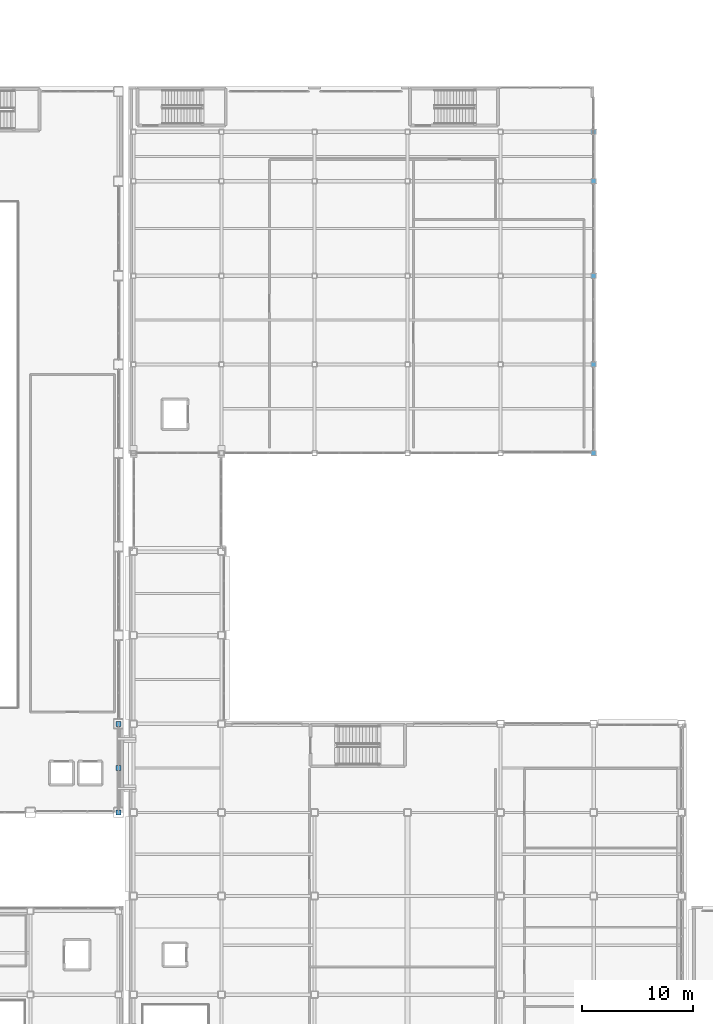
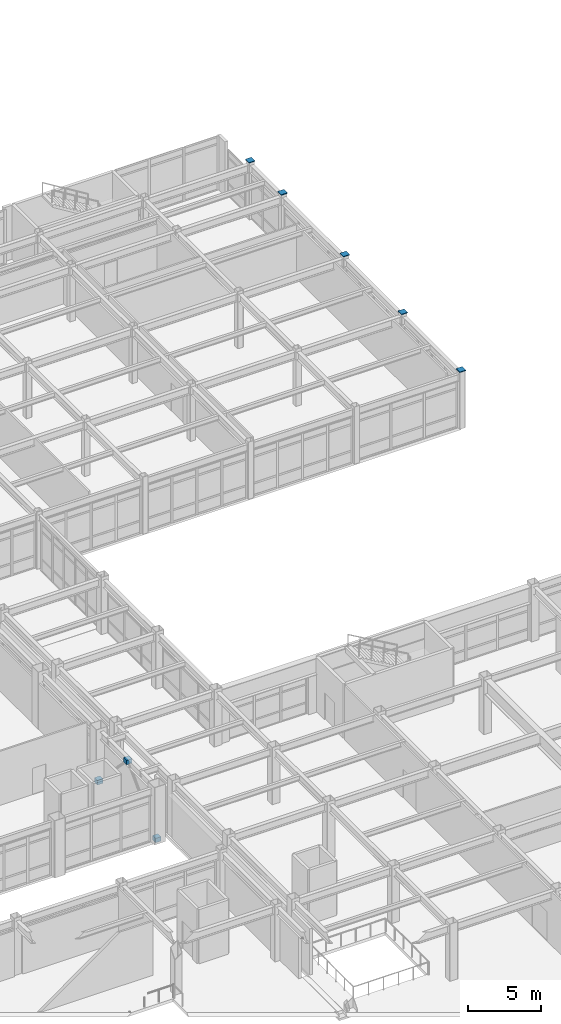
# One storey, part 151 of 172: 8 discrete accessories.
"""IFC4 building model written with IfcOpenShell, lengths in metres."""

from ifc_helpers import new_model, si_unit, direction, frame, origin, origin_2d, place, context, subcontext, project, spatial, rectangle, extrude, material, layer, layer_set, type_object, element, save


model = new_model("IFC4")

# Units and contexts
model_context = context("Model", 3, precision=1e-05, world=origin(), true_north=direction((0.0, 1.0)))
body_context = subcontext(model_context, "Body", "Model", "MODEL_VIEW")
ifc_project = project(units=[si_unit("LENGTHUNIT", "METRE"), si_unit("AREAUNIT", "SQUARE_METRE"), si_unit("VOLUMEUNIT", "CUBIC_METRE"), si_unit("PLANEANGLEUNIT", "RADIAN"), si_unit("MASSUNIT", "GRAM", prefix="KILO")], contexts=[model_context])

# Site, building, storey
site_placement = place(None, origin())
site = spatial("IfcSite", under=ifc_project, at=site_placement, CompositionType="ELEMENT")
building_placement = place(site_placement, origin())
building = spatial("IfcBuilding", under=site, at=building_placement, Name="Kazehara Bluff Congress Hotel", CompositionType="ELEMENT")
storey_placement = place(building_placement, frame((0.0, 0.0, 5.39990234375)))
storey = spatial("IfcBuildingStorey", under=building, at=storey_placement, Name="L01", CompositionType="ELEMENT", Elevation=5.39990234375)

# Discrete accessories
ifc_material_1 = material(Name="Steel SN490B", Category="steel")
ifc_layer_1 = layer(ifc_material_1, 0.06005859375)
ifc_layer_set_1 = layer_set([ifc_layer_1], Name="Steel SN490B")
discrete_accessory_type_1 = type_object("IfcDiscreteAccessoryType", Name="TP-CAP-BLK", PredefinedType="BRACKET", material=ifc_layer_set_1)
for number, where, z_axis, x_axis, name in (
    (1, (101.25, 80.89990234375, 4.77001953125), (0.0, 0.0, 1.0), (1.0, 0.0, 0.0), "Hollow column welded cap plate L01 706"),
    (2, (101.25, 88.89990234375, 4.77001953125), (0.0, 0.0, 1.0), (1.0, 0.0, 0.0), "Hollow column welded cap plate L01 707"),
    (3, (101.25, 96.89990234375, 4.77001953125), (0.0, 0.0, 1.0), (1.0, 0.0, 0.0), "Hollow column welded cap plate L01 708"),
    (4, (101.25, 105.449951171875, 4.77001953125), (0.0, 0.0, 1.0), (1.0, 0.0, 0.0), "Hollow column welded cap plate L01 709"),
    (5, (101.25, 109.89990234375, 4.77001953125), (0.0, 0.0, 1.0), (1.0, 0.0, 0.0), "Hollow column welded cap plate L01 710"),
):
    element("IfcDiscreteAccessory", number, at=place(storey_placement, frame(where, z_axis=z_axis, x_axis=x_axis)), inside=storey, type_object=discrete_accessory_type_1, Name=name, PredefinedType="BRACKET", context=body_context, shape_type="SweptSolid", body=[
        extrude(rectangle(XDim=0.489990234375, YDim=0.489990234375, at=origin_2d()), origin(), (0.0, 0.0, 1.0), 0.06005859375),
    ])
ifc_material_2 = material(Name="Steel SN490B", Category="steel")
ifc_layer_2 = layer(ifc_material_2, 0.360107421875)
ifc_layer_set_2 = layer_set([ifc_layer_2], Name="Steel SN490B")
discrete_accessory_type_2 = type_object("IfcDiscreteAccessoryType", Name="TP-CAP-BRN", PredefinedType="BRACKET", material=ifc_layer_set_2)
for number, where, z_axis, x_axis, name in (
    (6, (58.35009765625, 52.449951171875, 4.09521484375), (0.0, 0.0, 1.0), (1.0, 0.0, 0.0), "Chevron apex node L01 7"),
    (7, (58.35009765625, 48.449951171875, -0.02978515625), (0.0, 0.0, 1.0), (1.0, 0.0, 0.0), "Chevron foot node L01 7A"),
    (8, (58.35009765625, 56.449951171875, -0.02978515625), (0.0, 0.0, 1.0), (1.0, 0.0, 0.0), "Chevron foot node L01 7B"),
):
    element("IfcDiscreteAccessory", number, at=place(storey_placement, frame(where, z_axis=z_axis, x_axis=x_axis)), inside=storey, type_object=discrete_accessory_type_2, Name=name, PredefinedType="BRACKET", context=body_context, shape_type="SweptSolid", body=[
        extrude(rectangle(XDim=0.43994140625, YDim=0.43994140625, at=origin_2d()), origin(), (0.0, 0.0, 1.0), 0.360107421875),
    ])

save(model, "model.ifc")
